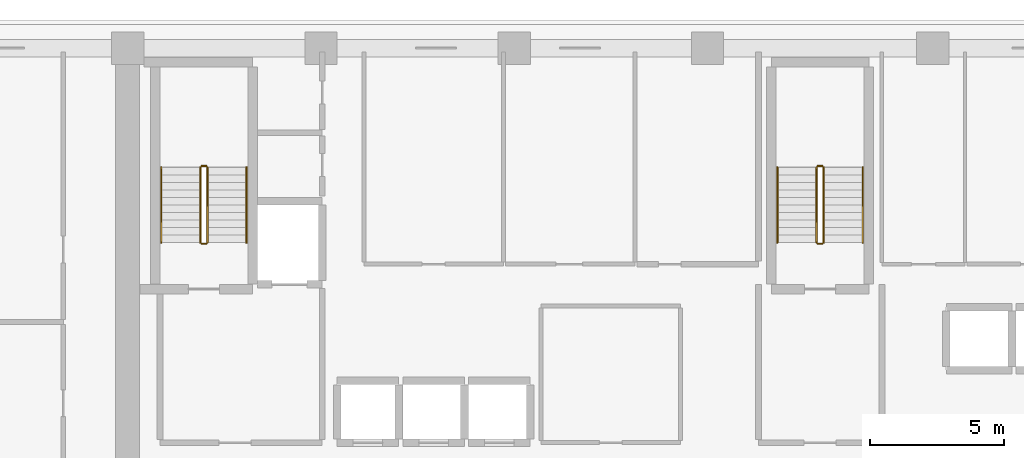
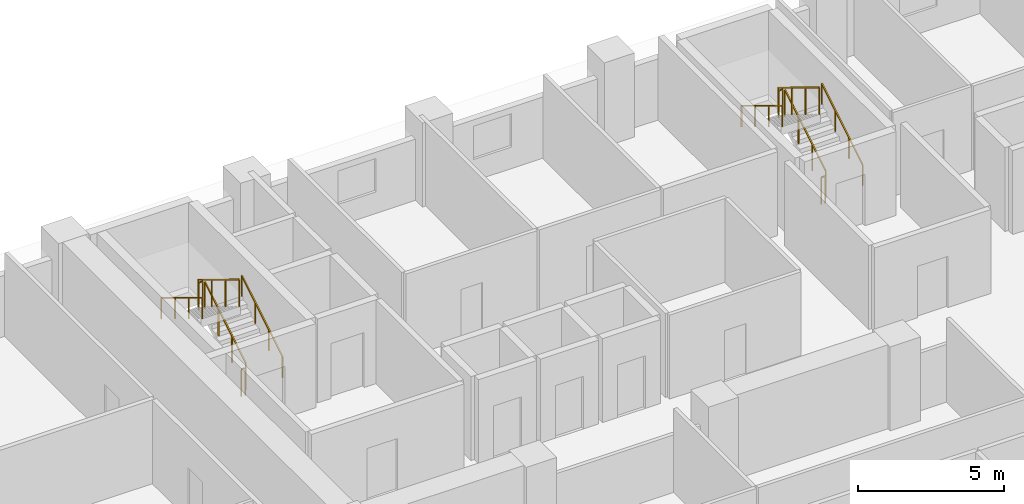
# One storey, part 13 of 15: 12 railings.
"""IFC4 building model written with IfcOpenShell, lengths in metres."""

from ifc_helpers import new_model, si_unit, direction, frame, origin, origin_2d, place, context, subcontext, project, spatial, rectangle, extrude, material, type_object, element, save


model = new_model("IFC4")

# Units and contexts
model_context = context("Model", 3, precision=1e-05, world=origin(), true_north=direction((0.0, 1.0)))
body_context = subcontext(model_context, "Body", "Model", "MODEL_VIEW")
ifc_project = project(units=[si_unit("LENGTHUNIT", "METRE"), si_unit("AREAUNIT", "SQUARE_METRE"), si_unit("VOLUMEUNIT", "CUBIC_METRE"), si_unit("PLANEANGLEUNIT", "RADIAN"), si_unit("MASSUNIT", "GRAM", prefix="KILO")], contexts=[model_context])

# Site, building, storey
site_placement = place(None, origin())
site = spatial("IfcSite", under=ifc_project, at=site_placement, CompositionType="ELEMENT")
building_placement = place(site_placement, origin())
building = spatial("IfcBuilding", under=site, at=building_placement, Name="Kaelvorn Grand Hotel", CompositionType="ELEMENT")
storey_placement = place(building_placement, frame((0.0, 0.0, 96.800048828125)))
storey = spatial("IfcBuildingStorey", under=building, at=storey_placement, Name="L22", CompositionType="ELEMENT", Elevation=96.800048828125)

# Railings
ifc_material = material(Name="Stainless Steel", Category="steel")
railing_type_1 = type_object("IfcRailingType", Name="RL-HANDRAIL-900", PredefinedType="HANDRAIL", material=ifc_material)
railing_1_placement = place(storey_placement, frame((20.6298828125, 41.760009765625, 0.17041015625)))
element("IfcRailing", 1, at=railing_1_placement, inside=storey, type_object=railing_type_1, Name="L22 ST1 stair handrail 1", PredefinedType="HANDRAIL", context=body_context, shape_type="SweptSolid", body=[
    extrude(rectangle(XDim=0.048095703125, YDim=0.048095703125, at=origin_2d()), frame((0.0, 0.0, 0.8759765625), z_axis=(0.0, 0.854169791009, 0.51999420009), x_axis=(-1.0, 0.0, 0.0)), (0.0, 0.0, 1.0), 3.278076171875),
    extrude(rectangle(XDim=0.0419921875, YDim=0.0419921875, at=origin_2d()), origin(), (0.0, 0.0, 1.0), 0.851806640625),
    extrude(rectangle(XDim=0.0419921875, YDim=0.0419921875, at=origin_2d()), frame((0.0, 0.933349609375, 0.568115234375)), (0.0, 0.0, 1.0), 0.851806640625),
    extrude(rectangle(XDim=0.0419921875, YDim=0.0419921875, at=origin_2d()), frame((0.0, 1.86669921875, 1.136474609375)), (0.0, 0.0, 1.0), 0.851806640625),
    extrude(rectangle(XDim=0.0419921875, YDim=0.0419921875, at=origin_2d()), frame((0.0, 2.800048828125, 1.70458984375)), (0.0, 0.0, 1.0), 0.851806640625),
])
railing_2_placement = place(storey_placement, frame((17.449951171875, 44.56005859375, 2.04541015625)))
element("IfcRailing", 2, at=railing_2_placement, inside=storey, type_object=railing_type_1, Name="L22 ST1 stair handrail 2", PredefinedType="HANDRAIL", context=body_context, shape_type="SweptSolid", body=[
    extrude(rectangle(XDim=0.048095703125, YDim=0.048095703125, at=origin_2d()), frame((0.0, 0.0, 0.8759765625), z_axis=(0.0, -0.854169791009, 0.51999420009), x_axis=(1.0, 0.0, 0.0)), (0.0, 0.0, 1.0), 3.278076171875),
    extrude(rectangle(XDim=0.0419921875, YDim=0.0419921875, at=origin_2d()), origin(), (0.0, 0.0, 1.0), 0.851806640625),
    extrude(rectangle(XDim=0.0419921875, YDim=0.0419921875, at=origin_2d()), frame((0.0, -0.933349609375, 0.568115234375)), (0.0, 0.0, 1.0), 0.851806640625),
    extrude(rectangle(XDim=0.0419921875, YDim=0.0419921875, at=origin_2d()), frame((0.0, -1.86669921875, 1.136474609375)), (0.0, 0.0, 1.0), 0.851806640625),
    extrude(rectangle(XDim=0.0419921875, YDim=0.0419921875, at=origin_2d()), frame((0.0, -2.800048828125, 1.70458984375)), (0.0, 0.0, 1.0), 0.851806640625),
])
railing_3_placement = place(storey_placement, frame((43.590087890625, 41.760009765625, 0.17041015625)))
element("IfcRailing", 3, at=railing_3_placement, inside=storey, type_object=railing_type_1, Name="L22 ST2 stair handrail 1", PredefinedType="HANDRAIL", context=body_context, shape_type="SweptSolid", body=[
    extrude(rectangle(XDim=0.048095703125, YDim=0.048095703125, at=origin_2d()), frame((0.0, 0.0, 0.8759765625), z_axis=(0.0, 0.854169791009, 0.51999420009), x_axis=(-1.0, 0.0, 0.0)), (0.0, 0.0, 1.0), 3.278076171875),
    extrude(rectangle(XDim=0.0419921875, YDim=0.0419921875, at=origin_2d()), origin(), (0.0, 0.0, 1.0), 0.851806640625),
    extrude(rectangle(XDim=0.0419921875, YDim=0.0419921875, at=origin_2d()), frame((0.0, 0.933349609375, 0.568115234375)), (0.0, 0.0, 1.0), 0.851806640625),
    extrude(rectangle(XDim=0.0419921875, YDim=0.0419921875, at=origin_2d()), frame((0.0, 1.86669921875, 1.136474609375)), (0.0, 0.0, 1.0), 0.851806640625),
    extrude(rectangle(XDim=0.0419921875, YDim=0.0419921875, at=origin_2d()), frame((0.0, 2.800048828125, 1.70458984375)), (0.0, 0.0, 1.0), 0.851806640625),
])
railing_4_placement = place(storey_placement, frame((40.409912109375, 44.56005859375, 2.04541015625)))
element("IfcRailing", 4, at=railing_4_placement, inside=storey, type_object=railing_type_1, Name="L22 ST2 stair handrail 2", PredefinedType="HANDRAIL", context=body_context, shape_type="SweptSolid", body=[
    extrude(rectangle(XDim=0.048095703125, YDim=0.048095703125, at=origin_2d()), frame((0.0, 0.0, 0.8759765625), z_axis=(0.0, -0.854169791009, 0.51999420009), x_axis=(1.0, 0.0, 0.0)), (0.0, 0.0, 1.0), 3.278076171875),
    extrude(rectangle(XDim=0.0419921875, YDim=0.0419921875, at=origin_2d()), origin(), (0.0, 0.0, 1.0), 0.851806640625),
    extrude(rectangle(XDim=0.0419921875, YDim=0.0419921875, at=origin_2d()), frame((0.0, -0.933349609375, 0.568115234375)), (0.0, 0.0, 1.0), 0.851806640625),
    extrude(rectangle(XDim=0.0419921875, YDim=0.0419921875, at=origin_2d()), frame((0.0, -1.86669921875, 1.136474609375)), (0.0, 0.0, 1.0), 0.851806640625),
    extrude(rectangle(XDim=0.0419921875, YDim=0.0419921875, at=origin_2d()), frame((0.0, -2.800048828125, 1.70458984375)), (0.0, 0.0, 1.0), 0.851806640625),
])
railing_type_2 = type_object("IfcRailingType", Name="RL-STAIR-GUARD-1150", PredefinedType="BALUSTRADE", material=ifc_material)
railing_5_placement = place(storey_placement, frame((19.169921875, 41.760009765625, 0.17041015625)))
element("IfcRailing", 5, at=railing_5_placement, inside=storey, type_object=railing_type_2, Name="L22 ST1 stair guard 1", PredefinedType="BALUSTRADE", context=body_context, shape_type="SweptSolid", body=[
    extrude(rectangle(XDim=0.048095703125, YDim=0.048095703125, at=origin_2d()), frame((0.0, 0.0, 1.1259765625), z_axis=(0.0, 0.854169791009, 0.51999420009), x_axis=(-1.0, 0.0, 0.0)), (0.0, 0.0, 1.0), 3.278076171875),
    extrude(rectangle(XDim=0.0419921875, YDim=0.0419921875, at=origin_2d()), origin(), (0.0, 0.0, 1.0), 1.101806640625),
    extrude(rectangle(XDim=0.0419921875, YDim=0.0419921875, at=origin_2d()), frame((0.0, 0.933349609375, 0.568115234375)), (0.0, 0.0, 1.0), 1.101806640625),
    extrude(rectangle(XDim=0.0419921875, YDim=0.0419921875, at=origin_2d()), frame((0.0, 1.86669921875, 1.136474609375)), (0.0, 0.0, 1.0), 1.101806640625),
    extrude(rectangle(XDim=0.0419921875, YDim=0.0419921875, at=origin_2d()), frame((0.0, 2.800048828125, 1.70458984375)), (0.0, 0.0, 1.0), 1.101806640625),
])
railing_6_placement = place(storey_placement, frame((19.1201171875, 44.610107421875, 1.875)))
element("IfcRailing", 6, at=railing_6_placement, inside=storey, type_object=railing_type_2, Name="L22 ST1 stair guard 2", PredefinedType="BALUSTRADE", context=body_context, shape_type="SweptSolid", body=[
    extrude(rectangle(XDim=0.048095703125, YDim=0.048095703125, at=origin_2d()), frame((0.0, 0.0, 1.1259765625), z_axis=(-1.0, 0.0, 0.0), x_axis=(0.0, -1.0, 0.0)), (0.0, 0.0, 1.0), 0.16015625),
    extrude(rectangle(XDim=0.0419921875, YDim=0.0419921875, at=origin_2d()), origin(), (0.0, 0.0, 1.0), 1.101806640625),
    extrude(rectangle(XDim=0.0419921875, YDim=0.0419921875, at=origin_2d()), frame((-0.16015625, 0.0, 0.0)), (0.0, 0.0, 1.0), 1.101806640625),
])
railing_7_placement = place(storey_placement, frame((18.909912109375, 44.56005859375, 2.04541015625)))
element("IfcRailing", 7, at=railing_7_placement, inside=storey, type_object=railing_type_2, Name="L22 ST1 stair guard 3", PredefinedType="BALUSTRADE", context=body_context, shape_type="SweptSolid", body=[
    extrude(rectangle(XDim=0.048095703125, YDim=0.048095703125, at=origin_2d()), frame((0.0, 0.0, 1.1259765625), z_axis=(0.0, -0.854169791009, 0.51999420009), x_axis=(1.0, 0.0, 0.0)), (0.0, 0.0, 1.0), 3.278076171875),
    extrude(rectangle(XDim=0.0419921875, YDim=0.0419921875, at=origin_2d()), origin(), (0.0, 0.0, 1.0), 1.101806640625),
    extrude(rectangle(XDim=0.0419921875, YDim=0.0419921875, at=origin_2d()), frame((0.0, -0.933349609375, 0.568115234375)), (0.0, 0.0, 1.0), 1.101806640625),
    extrude(rectangle(XDim=0.0419921875, YDim=0.0419921875, at=origin_2d()), frame((0.0, -1.86669921875, 1.136474609375)), (0.0, 0.0, 1.0), 1.101806640625),
    extrude(rectangle(XDim=0.0419921875, YDim=0.0419921875, at=origin_2d()), frame((0.0, -2.800048828125, 1.70458984375)), (0.0, 0.0, 1.0), 1.101806640625),
])
railing_8_placement = place(storey_placement, frame((19.1201171875, 41.7099609375, 0.0)))
element("IfcRailing", 8, at=railing_8_placement, inside=storey, type_object=railing_type_2, Name="L22 ST1 stair guard 4", PredefinedType="BALUSTRADE", context=body_context, shape_type="SweptSolid", body=[
    extrude(rectangle(XDim=0.048095703125, YDim=0.048095703125, at=origin_2d()), frame((0.0, 0.0, 1.1259765625), z_axis=(-1.0, 0.0, 0.0), x_axis=(0.0, -1.0, 0.0)), (0.0, 0.0, 1.0), 0.16015625),
    extrude(rectangle(XDim=0.0419921875, YDim=0.0419921875, at=origin_2d()), origin(), (0.0, 0.0, 1.0), 1.101806640625),
    extrude(rectangle(XDim=0.0419921875, YDim=0.0419921875, at=origin_2d()), frame((-0.16015625, 0.0, 0.0)), (0.0, 0.0, 1.0), 1.101806640625),
])
railing_9_placement = place(storey_placement, frame((42.1298828125, 41.760009765625, 0.17041015625)))
element("IfcRailing", 9, at=railing_9_placement, inside=storey, type_object=railing_type_2, Name="L22 ST2 stair guard 1", PredefinedType="BALUSTRADE", context=body_context, shape_type="SweptSolid", body=[
    extrude(rectangle(XDim=0.048095703125, YDim=0.048095703125, at=origin_2d()), frame((0.0, 0.0, 1.1259765625), z_axis=(0.0, 0.854169791009, 0.51999420009), x_axis=(-1.0, 0.0, 0.0)), (0.0, 0.0, 1.0), 3.278076171875),
    extrude(rectangle(XDim=0.0419921875, YDim=0.0419921875, at=origin_2d()), origin(), (0.0, 0.0, 1.0), 1.101806640625),
    extrude(rectangle(XDim=0.0419921875, YDim=0.0419921875, at=origin_2d()), frame((0.0, 0.933349609375, 0.568115234375)), (0.0, 0.0, 1.0), 1.101806640625),
    extrude(rectangle(XDim=0.0419921875, YDim=0.0419921875, at=origin_2d()), frame((0.0, 1.86669921875, 1.136474609375)), (0.0, 0.0, 1.0), 1.101806640625),
    extrude(rectangle(XDim=0.0419921875, YDim=0.0419921875, at=origin_2d()), frame((0.0, 2.800048828125, 1.70458984375)), (0.0, 0.0, 1.0), 1.101806640625),
])
railing_10_placement = place(storey_placement, frame((42.080078125, 44.610107421875, 1.875)))
element("IfcRailing", 10, at=railing_10_placement, inside=storey, type_object=railing_type_2, Name="L22 ST2 stair guard 2", PredefinedType="BALUSTRADE", context=body_context, shape_type="SweptSolid", body=[
    extrude(rectangle(XDim=0.048095703125, YDim=0.048095703125, at=origin_2d()), frame((0.0, 0.0, 1.1259765625), z_axis=(-1.0, 0.0, 0.0), x_axis=(0.0, -1.0, 0.0)), (0.0, 0.0, 1.0), 0.16015625),
    extrude(rectangle(XDim=0.0419921875, YDim=0.0419921875, at=origin_2d()), origin(), (0.0, 0.0, 1.0), 1.101806640625),
    extrude(rectangle(XDim=0.0419921875, YDim=0.0419921875, at=origin_2d()), frame((-0.16015625, 0.0, 0.0)), (0.0, 0.0, 1.0), 1.101806640625),
])
railing_11_placement = place(storey_placement, frame((41.8701171875, 44.56005859375, 2.04541015625)))
element("IfcRailing", 11, at=railing_11_placement, inside=storey, type_object=railing_type_2, Name="L22 ST2 stair guard 3", PredefinedType="BALUSTRADE", context=body_context, shape_type="SweptSolid", body=[
    extrude(rectangle(XDim=0.048095703125, YDim=0.048095703125, at=origin_2d()), frame((0.0, 0.0, 1.1259765625), z_axis=(0.0, -0.854169791009, 0.51999420009), x_axis=(1.0, 0.0, 0.0)), (0.0, 0.0, 1.0), 3.278076171875),
    extrude(rectangle(XDim=0.0419921875, YDim=0.0419921875, at=origin_2d()), origin(), (0.0, 0.0, 1.0), 1.101806640625),
    extrude(rectangle(XDim=0.0419921875, YDim=0.0419921875, at=origin_2d()), frame((0.0, -0.933349609375, 0.568115234375)), (0.0, 0.0, 1.0), 1.101806640625),
    extrude(rectangle(XDim=0.0419921875, YDim=0.0419921875, at=origin_2d()), frame((0.0, -1.86669921875, 1.136474609375)), (0.0, 0.0, 1.0), 1.101806640625),
    extrude(rectangle(XDim=0.0419921875, YDim=0.0419921875, at=origin_2d()), frame((0.0, -2.800048828125, 1.70458984375)), (0.0, 0.0, 1.0), 1.101806640625),
])
railing_12_placement = place(storey_placement, frame((42.080078125, 41.7099609375, 0.0)))
element("IfcRailing", 12, at=railing_12_placement, inside=storey, type_object=railing_type_2, Name="L22 ST2 stair guard 4", PredefinedType="BALUSTRADE", context=body_context, shape_type="SweptSolid", body=[
    extrude(rectangle(XDim=0.048095703125, YDim=0.048095703125, at=origin_2d()), frame((0.0, 0.0, 1.1259765625), z_axis=(-1.0, 0.0, 0.0), x_axis=(0.0, -1.0, 0.0)), (0.0, 0.0, 1.0), 0.16015625),
    extrude(rectangle(XDim=0.0419921875, YDim=0.0419921875, at=origin_2d()), origin(), (0.0, 0.0, 1.0), 1.101806640625),
    extrude(rectangle(XDim=0.0419921875, YDim=0.0419921875, at=origin_2d()), frame((-0.16015625, 0.0, 0.0)), (0.0, 0.0, 1.0), 1.101806640625),
])

save(model, "model.ifc")
